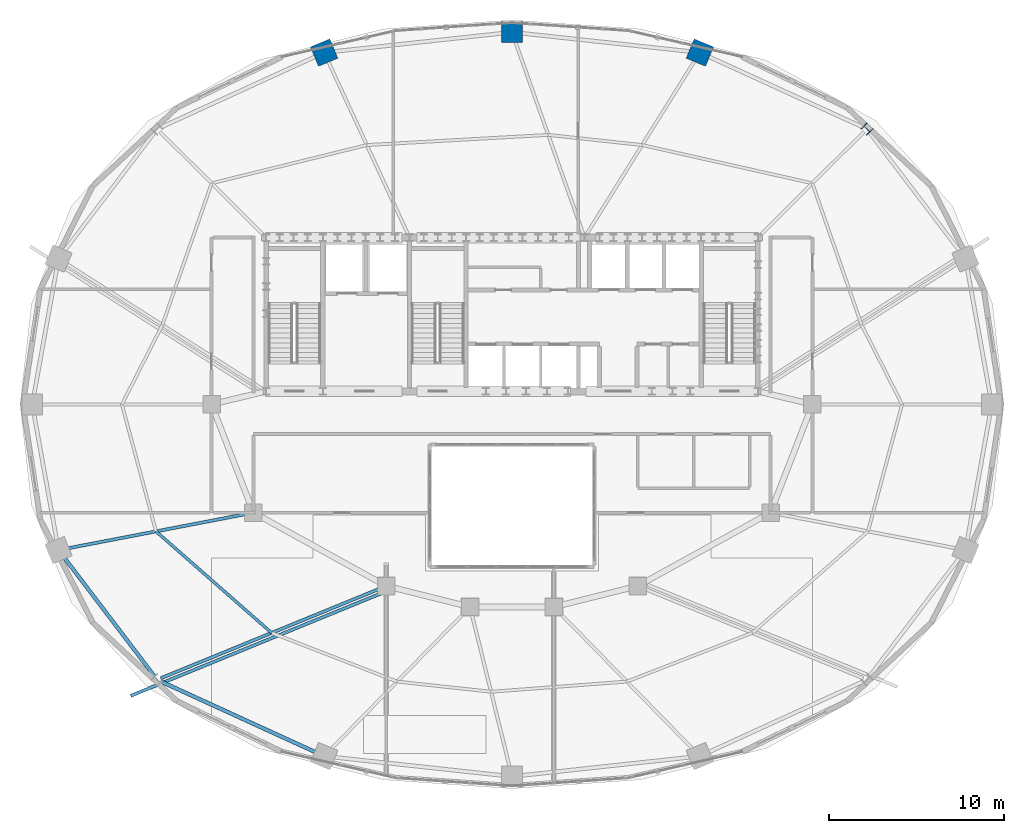
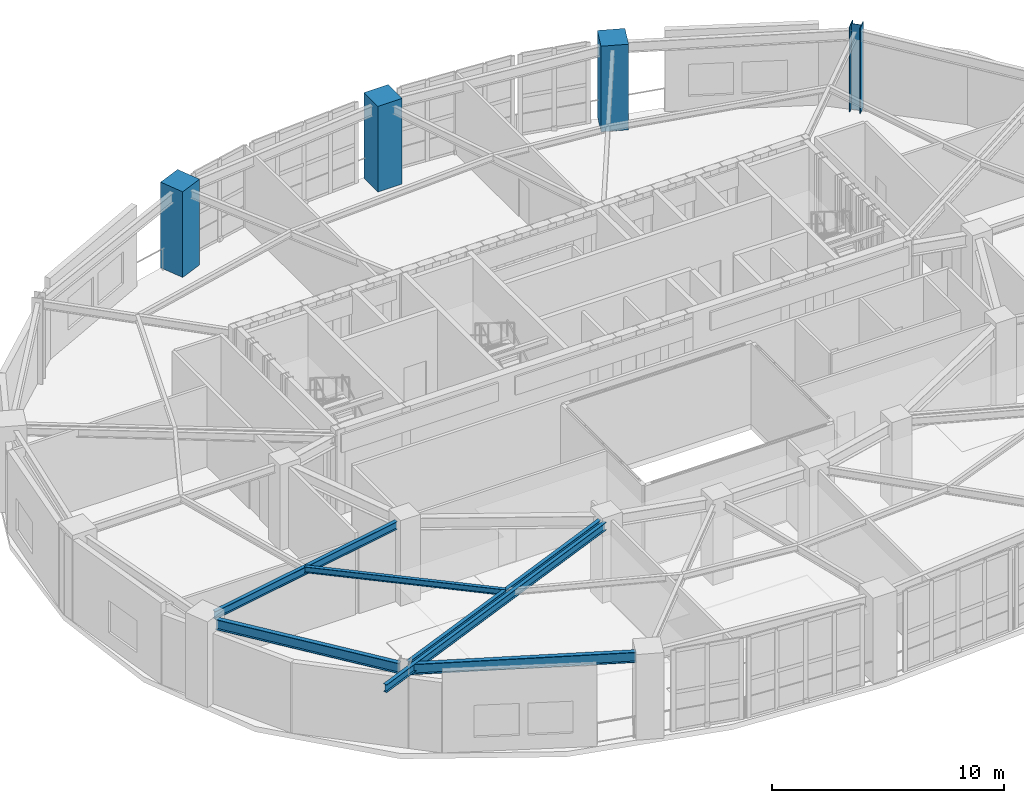
# One storey, part 2 of 16: 6 beams, 4 columns.
"""IFC4 building model written with IfcOpenShell, lengths in metres."""

from ifc_helpers import new_model, si_unit, direction, frame, origin, origin_2d, place, context, subcontext, project, spatial, rectangle, i_section, extrude, material, material_profile, profile_set, type_object, element, save


model = new_model("IFC4")

# Units and contexts
model_context = context("Model", 3, precision=1e-05, world=origin(), true_north=direction((0.0, 1.0)))
body_context = subcontext(model_context, "Body", "Model", "MODEL_VIEW")
ifc_project = project(units=[si_unit("LENGTHUNIT", "METRE"), si_unit("AREAUNIT", "SQUARE_METRE"), si_unit("VOLUMEUNIT", "CUBIC_METRE"), si_unit("PLANEANGLEUNIT", "RADIAN"), si_unit("MASSUNIT", "GRAM", prefix="KILO")], contexts=[model_context])

# Site, building, storey
site_placement = place(None, origin())
site = spatial("IfcSite", under=ifc_project, at=site_placement, CompositionType="ELEMENT")
building_placement = place(site_placement, origin())
building = spatial("IfcBuilding", under=site, at=building_placement, Name="Haldorwick Loom Tower", CompositionType="ELEMENT")
storey_placement = place(building_placement, frame((0.0, 0.0, 200.35009765625)))
storey = spatial("IfcBuildingStorey", under=building, at=storey_placement, Name="L54", CompositionType="ELEMENT", Elevation=200.35009765625)

# Columns
ifc_material_1 = material(Name="Concrete C60 (60 MPa)", Category="concrete")
ifc_material_profile_1 = material_profile(ifc_material_1, rectangle(XDim=1.199951171875, YDim=1.199951171875, at=origin_2d()), Name="RC1200X1200", Category="concrete")
ifc_profile_set_1 = profile_set([ifc_material_profile_1], Name="Concrete C60 (60 MPa)")
column_type_1 = type_object("IfcColumnType", Name="STR-COL-RC1200", PredefinedType="COLUMN", material=ifc_profile_set_1)
for number, where, z_axis, x_axis, name in (
    (1, (46.75341796875, 46.140625, 0.0), (0.0, 0.0, 1.0), (0.382683432365, 0.923879532511, 0.0), "L54 Perimeter Pier Column P04"),
    (2, (36.0, 47.304931640625, 0.0), (0.0, 0.0, 1.0), (0.0, 1.0, 0.0), "L54 Perimeter Pier Column P05"),
    (3, (25.24658203125, 46.140625, 0.0), (0.0, 0.0, 1.0), (-0.382683432365, 0.923879532511, 0.0), "L54 Perimeter Pier Column P06"),
):
    element("IfcColumn", number, at=place(storey_placement, frame(where, z_axis=z_axis, x_axis=x_axis)), inside=storey, type_object=column_type_1, Name=name, PredefinedType="COLUMN", context=body_context, shape_type="SweptSolid", body=[
        extrude(rectangle(XDim=1.199951171875, YDim=1.199951171875, at=origin_2d()), origin(), (0.0, 0.0, 1.0), 4.5),
    ])
ifc_material_2 = material(Name="Steel CSA G40.21 350WT", Category="steel")
ifc_material_profile_2 = material_profile(ifc_material_2, i_section(OverallWidth=0.5, OverallDepth=0.5, WebThickness=0.02197265625, FlangeThickness=0.031982421875, at=origin_2d()), Name="WWF500X500", Category="steel")
ifc_profile_set_2 = profile_set([ifc_material_profile_2], Name="Steel CSA G40.21 350WT")
column_type_2 = type_object("IfcColumnType", Name="STR-COL-WWF500", PredefinedType="COLUMN", material=ifc_profile_set_2)
column_placement = place(storey_placement, frame((56.317626953125, 41.764892578125, 0.0), z_axis=(0.0, 0.0, 1.0), x_axis=(0.707106781187, 0.707106781187, 0.0)))
element("IfcColumn", 4, at=column_placement, inside=storey, type_object=column_type_2, Name="L54 Perimeter Pier Column P03", PredefinedType="COLUMN", context=body_context, shape_type="SweptSolid", body=[
    extrude(i_section(OverallWidth=0.5, OverallDepth=0.5, WebThickness=0.02197265625, FlangeThickness=0.031982421875, at=origin_2d()), origin(), (0.0, 0.0, 1.0), 4.5),
])

# Beams
ifc_material_3 = material(Name="Steel CSA G40.21 350W", Category="steel")
ifc_material_profile_3 = material_profile(ifc_material_3, i_section(OverallWidth=0.179931640625, OverallDepth=0.4130859375, WebThickness=0.009765625, FlangeThickness=0.01611328125, at=origin_2d()), Name="W410X74", Category="steel")
ifc_profile_set_3 = profile_set([ifc_material_profile_3], Name="Steel CSA G40.21 350W")
beam_type_1 = type_object("IfcBeamType", Name="STR-BM-BAL410", PredefinedType="BEAM", material=ifc_profile_set_3)
beam_1_placement = place(storey_placement, frame((28.46630859375, 15.160888671875, 4.053466796875), z_axis=(-0.925585721791, -0.378538071556, 0.0), x_axis=(0.378538071556, -0.925585721791, 0.0)))
element("IfcBeam", 5, at=beam_1_placement, inside=storey, type_object=beam_type_1, Name="L54 Continuous Back-Spanned Balcony Beam 2", PredefinedType="BEAM", context=body_context, shape_type="SweptSolid", body=[
    extrude(i_section(OverallWidth=0.179931640625, OverallDepth=0.4130859375, WebThickness=0.009765625, FlangeThickness=0.01611328125, at=origin_2d()), origin(), (0.0, 0.0, 1.0), 15.447265625),
])
ifc_material_profile_4 = material_profile(ifc_material_3, i_section(OverallWidth=0.166015625, OverallDepth=0.31298828125, WebThickness=0.006591796875, FlangeThickness=0.01123046875, at=origin_2d()), Name="W310X45", Category="steel")
ifc_profile_set_4 = profile_set([ifc_material_profile_4], Name="Steel CSA G40.21 350W")
beam_type_2 = type_object("IfcBeamType", Name="STR-BM-J310", PredefinedType="JOIST", material=ifc_profile_set_4)
beam_2_placement = place(storey_placement, frame((15.619384765625, 18.728759765625, 4.103515625), z_axis=(0.751609427289, -0.659608420815, 0.0), x_axis=(0.659608420815, 0.751609427289, 0.0)))
element("IfcBeam", 6, at=beam_2_placement, inside=storey, type_object=beam_type_2, Name="L54 Mid-Bay Secondary Joist 10", PredefinedType="JOIST", context=body_context, shape_type="SweptSolid", body=[
    extrude(i_section(OverallWidth=0.166015625, OverallDepth=0.31298828125, WebThickness=0.006591796875, FlangeThickness=0.01123046875, at=origin_2d()), origin(), (0.0, 0.0, 1.0), 8.810302734375),
])
ifc_material_profile_5 = material_profile(ifc_material_3, i_section(OverallWidth=0.179931640625, OverallDepth=0.4130859375, WebThickness=0.009765625, FlangeThickness=0.01611328125, at=origin_2d()), Name="W410X74", Category="steel")
ifc_profile_set_5 = profile_set([ifc_material_profile_5], Name="Steel CSA G40.21 350W")
beam_type_3 = type_object("IfcBeamType", Name="STR-BM-J410", PredefinedType="JOIST", material=ifc_profile_set_5)
beam_3_placement = place(storey_placement, frame((20.7333984375, 19.71044921875, 4.053466796875), z_axis=(-0.982069869785, -0.188517295919, 0.0), x_axis=(0.188517295919, -0.982069869785, 0.0)))
element("IfcBeam", 7, at=beam_3_placement, inside=storey, type_object=beam_type_3, Name="L54 Radial Floor Girder 10", PredefinedType="JOIST", context=body_context, shape_type="SweptSolid", body=[
    extrude(i_section(OverallWidth=0.179931640625, OverallDepth=0.4130859375, WebThickness=0.009765625, FlangeThickness=0.01611328125, at=origin_2d()), origin(), (0.0, 0.0, 1.0), 10.36962890625),
])
beam_4_placement = place(storey_placement, frame((28.3603515625, 15.420166015625, 4.053466796875), z_axis=(-0.925583323606, -0.378543935445, 0.0), x_axis=(0.378543935445, -0.925583323606, 0.0)))
element("IfcBeam", 8, at=beam_4_placement, inside=storey, type_object=beam_type_3, Name="L54 Radial Floor Girder 11", PredefinedType="JOIST", context=body_context, shape_type="SweptSolid", body=[
    extrude(i_section(OverallWidth=0.179931640625, OverallDepth=0.4130859375, WebThickness=0.009765625, FlangeThickness=0.01611328125, at=origin_2d()), origin(), (0.0, 0.0, 1.0), 13.47216796875),
])
ifc_material_profile_6 = material_profile(ifc_material_3, i_section(OverallWidth=0.2119140625, OverallDepth=0.5439453125, WebThickness=0.01318359375, FlangeThickness=0.021240234375, at=origin_2d()), Name="W530X123", Category="steel")
ifc_profile_set_6 = profile_set([ifc_material_profile_6], Name="Steel CSA G40.21 350W")
beam_type_4 = type_object("IfcBeamType", Name="STR-BM-SP530", PredefinedType="SPANDREL", material=ifc_profile_set_6)
beam_5_placement = place(storey_placement, frame((10.353759765625, 17.24365234375, 3.98779296875), z_axis=(0.605236944797, -0.796045376001, 0.0), x_axis=(0.796045376001, 0.605236944797, 0.0)))
element("IfcBeam", 9, at=beam_5_placement, inside=storey, type_object=beam_type_4, Name="L54 Perimeter Spandrel 10", PredefinedType="SPANDREL", context=body_context, shape_type="SweptSolid", body=[
    extrude(i_section(OverallWidth=0.2119140625, OverallDepth=0.5439453125, WebThickness=0.01318359375, FlangeThickness=0.021240234375, at=origin_2d()), origin(), (0.0, 0.0, 1.0), 8.5791015625),
])
beam_6_placement = place(storey_placement, frame((15.886962890625, 10.1416015625, 3.98779296875), z_axis=(0.909342182232, -0.416049030299, 0.0), x_axis=(0.416049030299, 0.909342182232, 0.0)))
element("IfcBeam", 10, at=beam_6_placement, inside=storey, type_object=beam_type_4, Name="L54 Perimeter Spandrel 11", PredefinedType="SPANDREL", context=body_context, shape_type="SweptSolid", body=[
    extrude(i_section(OverallWidth=0.2119140625, OverallDepth=0.5439453125, WebThickness=0.01318359375, FlangeThickness=0.021240234375, at=origin_2d()), origin(), (0.0, 0.0, 1.0), 9.772705078125),
])

save(model, "model.ifc")
